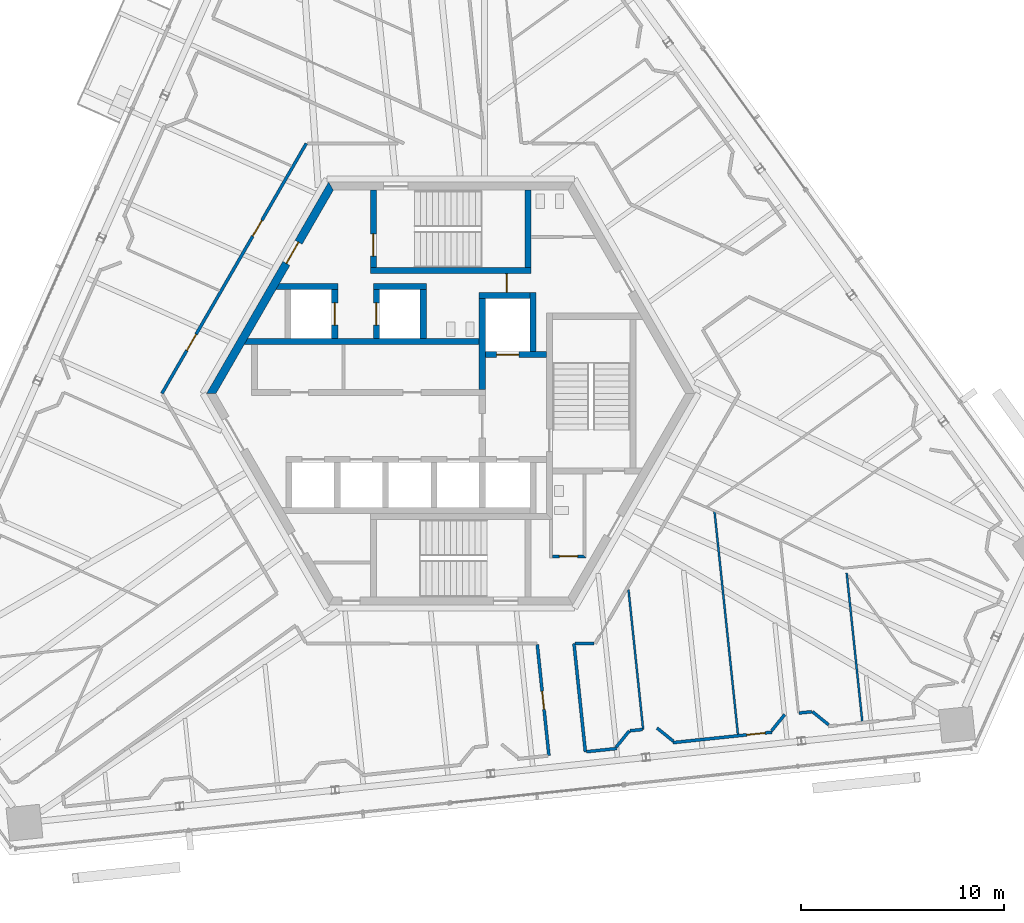
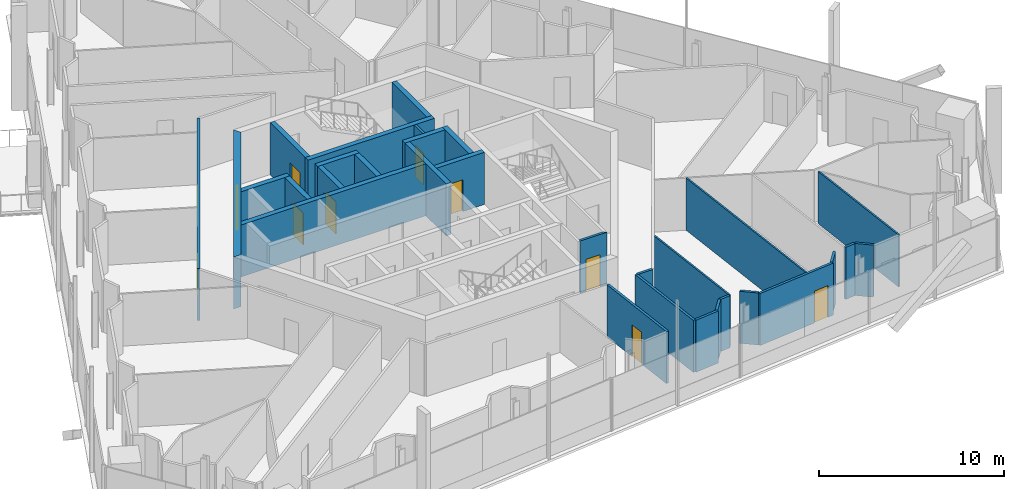
# One storey, part 12 of 21: 31 walls, 11 doors, 11 openings.
"""IFC4 building model written with IfcOpenShell, lengths in metres."""

from ifc_helpers import new_model, si_unit, direction, frame, frame_2d, origin, place, context, subcontext, project, spatial, polyline, rectangle, outline, extrude, source, transform, mapped, material, layer, layer_set, type_object, element, fill, save


model = new_model("IFC4")

# Units and contexts
model_context = context("Model", 3, precision=1e-05, world=origin(), true_north=direction((0.0, 1.0)))
body_context = subcontext(model_context, "Body", "Model", "MODEL_VIEW")
ifc_project = project(units=[si_unit("LENGTHUNIT", "METRE"), si_unit("AREAUNIT", "SQUARE_METRE"), si_unit("VOLUMEUNIT", "CUBIC_METRE"), si_unit("PLANEANGLEUNIT", "RADIAN"), si_unit("MASSUNIT", "GRAM", prefix="KILO")], contexts=[model_context])

# Site, building, storey
site_placement = place(None, origin())
site = spatial("IfcSite", under=ifc_project, at=site_placement, CompositionType="ELEMENT")
building_placement = place(site_placement, origin())
building = spatial("IfcBuilding", under=site, at=building_placement, Name="Triune Harvest Tower", CompositionType="ELEMENT")
storey_placement = place(building_placement, frame((0.0, 0.0, 248.5)))
storey = spatial("IfcBuildingStorey", under=building, at=storey_placement, Name="L65", CompositionType="ELEMENT", Elevation=248.5)

# Wall, opening, door
ifc_material_1 = material(Name="Gypsum board on steel studs", Category="steel")
ifc_layer_1 = layer(ifc_material_1, 0.14990234375)
ifc_layer_set_1 = layer_set([ifc_layer_1], Name="Gypsum board on steel studs")
wall_type_1 = type_object("IfcWallType", Name="Fire Partition 150 mm", PredefinedType="PARTITIONING", material=ifc_layer_set_1)
wall_1_placement = place(storey_placement, frame((4.25341796875, -12.342041015625, 0.0), z_axis=(0.0, 0.0, 1.0), x_axis=(0.104522575679, -0.994522514161, 0.0)))
wall_1 = element("IfcWall", 1, at=wall_1_placement, inside=storey, type_object=wall_type_1, Name="Partition L65 006", PredefinedType="PARTITIONING", context=body_context, shape_type="SweptSolid", body=[
    extrude(rectangle(XDim=5.484375, YDim=0.14990234375, at=frame_2d((2.7421875, 0.0))), origin(), (0.0, 0.0, 1.0), 3.43994140625),
])
opening_1_placement = place(wall_1_placement, frame((2.300048828125, 0.0, 0.0)))
opening_1 = element("IfcOpeningElement", 2, at=opening_1_placement, cuts=wall_1, Name="Opening L65-021", PredefinedType="OPENING", context=body_context, shape_type="SweptSolid", body=[
    extrude(rectangle(XDim=0.89990234375, YDim=2.10009765625, at=frame_2d((0.449951171875, 1.050048828125))), frame((0.0, 0.0849609375, 0.0), z_axis=(0.0, -1.0, 0.0), x_axis=(1.0, 0.0, 0.0)), (0.0, 0.0, 1.0), 0.169921875),
])
ifc_material_2 = material(Name="Timber and steel door set", Category="steel")
door_type_1 = type_object("IfcDoorType", Name="Single leaf door FD30 left hand 900 x 2100", OperationType="SINGLE_SWING_LEFT", PredefinedType="DOOR", material=ifc_material_2)
door_1_placement = place(opening_1_placement, origin())
door_1 = element("IfcDoor", 3, at=door_1_placement, inside=storey, type_object=door_type_1, Name="Door L65-021 Office 65.21", OperationType="SINGLE_SWING_LEFT", OverallHeight=2.10009765625, OverallWidth=0.89990234375, PredefinedType="DOOR", context=body_context, shape_type="SweptSolid", body=[
    extrude(rectangle(XDim=0.89990234375, YDim=2.10009765625, at=frame_2d((0.449951171875, 1.050048828125))), frame((0.0, 0.02490234375, 0.0), z_axis=(0.0, -1.0, 0.0), x_axis=(1.0, 0.0, 0.0)), (0.0, 0.0, 1.0), 0.050048828125),
])
fill(opening_1, door_1)

# Wall
wall_2_placement = place(storey_placement, frame((6.05810546875, -12.292236328125, 0.0), z_axis=(0.0, 0.0, 1.0), x_axis=(0.104499338666, -0.994524956056, 0.0)))
element("IfcWall", 4, at=wall_2_placement, inside=storey, type_object=wall_type_1, Name="Partition L65 008", PredefinedType="PARTITIONING", context=body_context, shape_type="SweptSolid", body=[
    extrude(rectangle(XDim=5.345458984375, YDim=0.14990234375, at=frame_2d((2.6728515625, 0.0))), origin(), (0.0, 0.0, 1.0), 3.43994140625),
])

# Wall, opening, door
wall_3_placement = place(storey_placement, frame((10.922119140625, -17.15576171875, 0.0), z_axis=(0.0, 0.0, 1.0), x_axis=(0.994522909603, 0.104518813021, 0.0)))
wall_3 = element("IfcWall", 5, at=wall_3_placement, inside=storey, type_object=wall_type_1, Name="Partition L65 076", PredefinedType="PARTITIONING", context=body_context, shape_type="SweptSolid", body=[
    extrude(rectangle(XDim=4.900634765625, YDim=0.14990234375, at=frame_2d((2.4501953125, 0.0))), origin(), (0.0, 0.0, 1.0), 3.43994140625),
])
opening_2_placement = place(wall_3_placement, frame((3.65087890625, 0.0, 0.0)))
opening_2 = element("IfcOpeningElement", 6, at=opening_2_placement, cuts=wall_3, Name="Opening L65-024", PredefinedType="OPENING", context=body_context, shape_type="SweptSolid", body=[
    extrude(rectangle(XDim=0.89990234375, YDim=2.10009765625, at=frame_2d((0.449951171875, 1.050048828125))), frame((0.0, 0.0849609375, 0.0), z_axis=(0.0, -1.0, 0.0), x_axis=(1.0, 0.0, 0.0)), (0.0, 0.0, 1.0), 0.169921875),
])
ifc_material_3 = material(Name="Timber and steel door set", Category="steel")
door_type_2 = type_object("IfcDoorType", Name="Single leaf door FD30 right hand 900 x 2100", OperationType="SINGLE_SWING_RIGHT", PredefinedType="DOOR", material=ifc_material_3)
door_2_placement = place(opening_2_placement, origin())
door_2 = element("IfcDoor", 7, at=door_2_placement, inside=storey, type_object=door_type_2, Name="Door L65-024 Office 65.24", OperationType="SINGLE_SWING_RIGHT", OverallHeight=2.10009765625, OverallWidth=0.89990234375, PredefinedType="DOOR", context=body_context, shape_type="SweptSolid", body=[
    extrude(rectangle(XDim=0.89990234375, YDim=2.10009765625, at=frame_2d((0.449951171875, 1.050048828125))), frame((0.0, 0.02490234375, 0.0), z_axis=(0.0, -1.0, 0.0), x_axis=(1.0, 0.0, 0.0)), (0.0, 0.0, 1.0), 0.050048828125),
])
fill(opening_2, door_2)

# Walls
wall_4_placement = place(storey_placement, frame((8.80712890625, -16.575439453125, 0.0), z_axis=(0.0, 0.0, 1.0), x_axis=(0.994526794277, 0.104481842754, 0.0)))
element("IfcWall", 8, at=wall_4_placement, inside=storey, type_object=wall_type_1, Name="Partition L65 081", PredefinedType="PARTITIONING", context=body_context, shape_type="SweptSolid", body=[
    extrude(rectangle(XDim=0.626220703125, YDim=0.14990234375, at=frame_2d((0.31298828125, 0.0))), origin(), (0.0, 0.0, 1.0), 3.43994140625),
])
wall_5_placement = place(storey_placement, frame((17.12060546875, -15.701904296875, 0.0), z_axis=(0.0, 0.0, 1.0), x_axis=(0.994535296113, 0.104400884982, 0.0)))
element("IfcWall", 9, at=wall_5_placement, inside=storey, type_object=wall_type_1, Name="Partition L65 082", PredefinedType="PARTITIONING", context=body_context, shape_type="SweptSolid", body=[
    extrude(rectangle(XDim=0.626708984375, YDim=0.14990234375, at=frame_2d((0.3134765625, 0.0))), origin(), (0.0, 0.0, 1.0), 3.43994140625),
])
ifc_material_4 = material(Name="Gypsum board on steel studs", Category="steel")
ifc_layer_2 = layer(ifc_material_4, 0.10009765625)
ifc_layer_set_2 = layer_set([ifc_layer_2], Name="Gypsum board on steel studs")
wall_type_2 = type_object("IfcWallType", Name="Partition 100 mm", PredefinedType="PARTITIONING", material=ifc_layer_set_2)
wall_6_placement = place(storey_placement, frame((8.7353515625, -9.642578125, 0.0), z_axis=(0.0, 0.0, 1.0), x_axis=(0.104520914227, -0.994522688775, 0.0)))
element("IfcWall", 10, at=wall_6_placement, inside=storey, type_object=wall_type_2, Name="Partition L65 009", PredefinedType="PARTITIONING", context=body_context, shape_type="SweptSolid", body=[
    extrude(rectangle(XDim=6.90234375, YDim=0.10009765625, at=frame_2d((3.451171875, 0.0))), origin(), (0.0, 0.0, 1.0), 3.43994140625),
])
wall_7_placement = place(storey_placement, frame((12.961181640625, -5.770751953125, 0.0), z_axis=(0.0, 0.0, 1.0), x_axis=(0.104539501428, -0.994520735149, 0.0)))
element("IfcWall", 11, at=wall_7_placement, inside=storey, type_object=wall_type_2, Name="Partition L65 010", PredefinedType="PARTITIONING", context=body_context, shape_type="SweptSolid", body=[
    extrude(rectangle(XDim=11.109375, YDim=0.10009765625, at=frame_2d((5.5546875, 0.0))), origin(), (0.0, 0.0, 1.0), 3.43994140625),
])
wall_8_placement = place(storey_placement, frame((19.459228515625, -8.8212890625, 0.0), z_axis=(0.0, 0.0, 1.0), x_axis=(0.104535299273, -0.994521176851, 0.0)))
element("IfcWall", 12, at=wall_8_placement, inside=storey, type_object=wall_type_2, Name="Partition L65 012", PredefinedType="PARTITIONING", context=body_context, shape_type="SweptSolid", body=[
    extrude(rectangle(XDim=7.396484375, YDim=0.10009765625, at=frame_2d((3.6982421875, 0.0))), origin(), (0.0, 0.0, 1.0), 3.43994140625),
])

# Wall, opening, door
ifc_material_5 = material(Name="Concrete 70 MPa", Category="concrete")
ifc_layer_3 = layer(ifc_material_5, 0.39990234375)
ifc_layer_set_3 = layer_set([ifc_layer_3], Name="Concrete 70 MPa")
wall_type_3 = type_object("IfcWallType", Name="Core wall 400", PredefinedType="SHEAR", material=ifc_layer_set_3)
shared_shape_1 = source(origin(), body_context, "Body", "SweptSolid", [
    extrude(outline(polyline([(-0.115478515625, -0.199951171875), (11.884521484375, -0.199951171875), (11.653564453125, 0.199951171875), (0.115478515625, 0.199951171875), (-0.115478515625, -0.199951171875)])), origin(), (0.0, 0.0, 1.0), 3.43994140625),
])
wall_9_placement = place(storey_placement, frame((-5.884521484375, 10.1923828125, 0.0), z_axis=(0.0, 0.0, 1.0), x_axis=(-0.499996592174, -0.866027371285, 0.0)))
wall_9 = element("IfcWall", 13, at=wall_9_placement, inside=storey, type_object=wall_type_3, Name="Hexagon 2 wall", PredefinedType="SHEAR", context=body_context, shape_type="MappedRepresentation", body=[
    mapped(shared_shape_1, transform((0.0, 0.0, 0.0), scale=1.0)),
])
opening_3_placement = place(wall_9_placement, frame((3.1845703125, 0.0, 0.0)))
opening_3 = element("IfcOpeningElement", 14, at=opening_3_placement, cuts=wall_9, Name="Opening CD-SVP", PredefinedType="OPENING", context=body_context, shape_type="SweptSolid", body=[
    extrude(rectangle(XDim=1.199951171875, YDim=2.10009765625, at=frame_2d((0.60009765625, 1.050048828125))), frame((0.0, 0.2099609375, 0.0), z_axis=(0.0, -1.0, 0.0), x_axis=(1.0, 0.0, 0.0)), (0.0, 0.0, 1.0), 0.419921875),
])
ifc_material_6 = material(Name="Steel S235", Category="steel")
door_type_3 = type_object("IfcDoorType", Name="Service door 1200 FD120", OperationType="SINGLE_SWING_LEFT", PredefinedType="DOOR", material=ifc_material_6)
door_3_placement = place(opening_3_placement, frame((1.199951171875, 0.0, 0.0), z_axis=(0.0, 0.0, 1.0), x_axis=(-1.0, 0.0, 0.0)))
door_3 = element("IfcDoor", 15, at=door_3_placement, inside=storey, type_object=door_type_3, Name="Door CD-SVP", OperationType="SINGLE_SWING_RIGHT", OverallHeight=2.10009765625, OverallWidth=1.199951171875, PredefinedType="DOOR", context=body_context, shape_type="SweptSolid", body=[
    extrude(rectangle(XDim=1.199951171875, YDim=2.10009765625, at=frame_2d((0.60009765625, 1.050048828125))), frame((0.0, 0.02490234375, 0.0), z_axis=(0.0, -1.0, 0.0), x_axis=(1.0, 0.0, 0.0)), (0.0, 0.0, 1.0), 0.050048828125),
])
fill(opening_3, door_3)

# Walls
ifc_material_7 = material(Name="Concrete 70 MPa", Category="concrete")
ifc_layer_4 = layer(ifc_material_7, 0.300048828125)
ifc_layer_set_4 = layer_set([ifc_layer_4], Name="Concrete 70 MPa")
wall_type_4 = type_object("IfcWallType", Name="Core wall 300", PredefinedType="SHEAR", material=ifc_layer_set_4)
shared_shape_2 = source(origin(), body_context, "Body", "SweptSolid", [
    extrude(outline(polyline([(11.199951171875, -0.14990234375), (-0.34912109375, -0.14990234375), (-0.17578125, 0.14990234375), (11.199951171875, 0.14990234375), (11.199951171875, -0.14990234375)])), origin(), (0.0, 0.0, 1.0), 3.43994140625),
])
wall_10_placement = place(storey_placement, frame((-9.800048828125, 2.56005859375, 0.0), z_axis=(0.0, 0.0, 1.0), x_axis=(1.0, 0.0, 0.0)))
element("IfcWall", 16, at=wall_10_placement, inside=storey, type_object=wall_type_4, Name="North back wall", PredefinedType="SHEAR", context=body_context, shape_type="MappedRepresentation", body=[
    mapped(shared_shape_2, transform((0.0, 0.0, 0.0), scale=1.0)),
])
shared_shape_3 = source(origin(), body_context, "Body", "SweptSolid", [
    extrude(rectangle(XDim=2.5, YDim=0.300048828125, at=frame_2d((1.25, 0.0))), origin(), (0.0, 0.0, 1.0), 3.43994140625),
])
wall_11_placement = place(storey_placement, frame((1.39990234375, 4.81005859375, 0.0), z_axis=(0.0, 0.0, 1.0), x_axis=(1.0, 0.0, 0.0)))
element("IfcWall", 17, at=wall_11_placement, inside=storey, type_object=wall_type_4, Name="Ff1 back wall", PredefinedType="SHEAR", context=body_context, shape_type="MappedRepresentation", body=[
    mapped(shared_shape_3, transform((0.0, 0.0, 0.0), scale=1.0)),
])
shared_shape_4 = source(origin(), body_context, "Body", "SweptSolid", [
    extrude(rectangle(XDim=4.449951171875, YDim=0.300048828125, at=frame_2d((2.22509765625, 0.0))), origin(), (0.0, 0.0, 1.0), 3.43994140625),
])
wall_12_placement = place(storey_placement, frame((1.550048828125, 0.2099609375, 0.0), z_axis=(0.0, 0.0, 1.0), x_axis=(0.0, 1.0, 0.0)))
element("IfcWall", 18, at=wall_12_placement, inside=storey, type_object=wall_type_4, Name="Ff1 west wall", PredefinedType="SHEAR", context=body_context, shape_type="MappedRepresentation", body=[
    mapped(shared_shape_4, transform((0.0, 0.0, 0.0), scale=1.0)),
])

# Wall, opening, door
shared_shape_5 = source(origin(), body_context, "Body", "SweptSolid", [
    extrude(rectangle(XDim=3.0, YDim=0.300048828125, at=frame_2d((1.5, 0.0))), origin(), (0.0, 0.0, 1.0), 3.43994140625),
])
wall_13_placement = place(storey_placement, frame((1.699951171875, 1.909912109375, 0.0), z_axis=(0.0, 0.0, 1.0), x_axis=(1.0, 0.0, 0.0)))
wall_13 = element("IfcWall", 19, at=wall_13_placement, inside=storey, type_object=wall_type_4, Name="Ff1 front wall", PredefinedType="SHEAR", context=body_context, shape_type="MappedRepresentation", body=[
    mapped(shared_shape_5, transform((0.0, 0.0, 0.0), scale=1.0)),
])
opening_4_placement = place(wall_13_placement, frame((0.550048828125, 0.0, 0.0)))
opening_4 = element("IfcOpeningElement", 20, at=opening_4_placement, cuts=wall_13, Name="Opening LD-FF1-65", PredefinedType="OPENING", context=body_context, shape_type="SweptSolid", body=[
    extrude(rectangle(XDim=1.10009765625, YDim=2.10009765625, at=frame_2d((0.550048828125, 1.050048828125))), frame((0.0, 0.16015625, 0.0), z_axis=(0.0, -1.0, 0.0), x_axis=(1.0, 0.0, 0.0)), (0.0, 0.0, 1.0), 0.320068359375),
])
ifc_material_8 = material(Name="Stainless steel AISI 304", Category="steel")
door_type_4 = type_object("IfcDoorType", Name="Landing door 1100 x 2100", OperationType="DOUBLE_DOOR_SLIDING", PredefinedType="DOOR", material=ifc_material_8)
door_4_placement = place(opening_4_placement, origin())
door_4 = element("IfcDoor", 21, at=door_4_placement, inside=storey, type_object=door_type_4, Name="Door LD-FF1-65", OperationType="DOUBLE_DOOR_SLIDING", OverallHeight=2.10009765625, OverallWidth=1.10009765625, PredefinedType="DOOR", context=body_context, shape_type="SweptSolid", body=[
    extrude(rectangle(XDim=1.10009765625, YDim=2.10009765625, at=frame_2d((0.550048828125, 1.050048828125))), frame((0.0, 0.02490234375, 0.0), z_axis=(0.0, -1.0, 0.0), x_axis=(1.0, 0.0, 0.0)), (0.0, 0.0, 1.0), 0.050048828125),
])
fill(opening_4, door_4)

# Walls
shared_shape_6 = source(origin(), body_context, "Body", "SweptSolid", [
    extrude(rectangle(XDim=2.89990234375, YDim=0.300048828125, at=frame_2d((1.449951171875, 0.0))), origin(), (0.0, 0.0, 1.0), 3.43994140625),
])
wall_14_placement = place(storey_placement, frame((4.050048828125, 2.06005859375, 0.0), z_axis=(0.0, 0.0, 1.0), x_axis=(0.0, 1.0, 0.0)))
element("IfcWall", 22, at=wall_14_placement, inside=storey, type_object=wall_type_4, Name="Ff1 east wall", PredefinedType="SHEAR", context=body_context, shape_type="MappedRepresentation", body=[
    mapped(shared_shape_6, transform((0.0, 0.0, 0.0), scale=1.0)),
])
shared_shape_7 = source(origin(), body_context, "Body", "SweptSolid", [
    extrude(rectangle(XDim=7.89990234375, YDim=0.300048828125, at=frame_2d((3.949951171875, 0.0))), origin(), (0.0, 0.0, 1.0), 3.43994140625),
])
wall_15_placement = place(storey_placement, frame((-3.949951171875, 6.0400390625, 0.0), z_axis=(0.0, 0.0, 1.0), x_axis=(1.0, 0.0, 0.0)))
element("IfcWall", 23, at=wall_15_placement, inside=storey, type_object=wall_type_4, Name="Stair n south wall", PredefinedType="SHEAR", context=body_context, shape_type="MappedRepresentation", body=[
    mapped(shared_shape_7, transform((0.0, 0.0, 0.0), scale=1.0)),
])

# Wall, opening, door
shared_shape_8 = source(origin(), body_context, "Body", "SweptSolid", [
    extrude(outline(polyline([(0.0, -0.14990234375), (0.0, 0.14990234375), (3.80419921875, 0.14990234375), (3.80419921875, -0.14990234375), (0.0, -0.14990234375)])), origin(), (0.0, 0.0, 1.0), 3.43994140625),
])
wall_16_placement = place(storey_placement, frame((-3.800048828125, 6.18994140625, 0.0), z_axis=(0.0, 0.0, 1.0), x_axis=(0.0, 1.0, 0.0)))
wall_16 = element("IfcWall", 24, at=wall_16_placement, inside=storey, type_object=wall_type_4, Name="Stair n west wall", PredefinedType="SHEAR", context=body_context, shape_type="MappedRepresentation", body=[
    mapped(shared_shape_8, transform((0.0, 0.0, 0.0), scale=1.0)),
])
opening_5_placement = place(wall_16_placement, frame((0.56005859375, 0.0, 0.0)))
opening_5 = element("IfcOpeningElement", 25, at=opening_5_placement, cuts=wall_16, Name="Opening CD-S1L", PredefinedType="OPENING", context=body_context, shape_type="SweptSolid", body=[
    extrude(rectangle(XDim=1.10009765625, YDim=2.10009765625, at=frame_2d((0.550048828125, 1.050048828125))), frame((0.0, 0.16015625, 0.0), z_axis=(0.0, -1.0, 0.0), x_axis=(1.0, 0.0, 0.0)), (0.0, 0.0, 1.0), 0.320068359375),
])
ifc_material_9 = material(Name="Steel S235", Category="steel")
door_type_5 = type_object("IfcDoorType", Name="Stair door 1100 FD120", OperationType="SINGLE_SWING_LEFT", PredefinedType="DOOR", material=ifc_material_9)
door_5_placement = place(opening_5_placement, frame((1.10009765625, 0.0, 0.0), z_axis=(0.0, 0.0, 1.0), x_axis=(-1.0, 0.0, 0.0)))
door_5 = element("IfcDoor", 26, at=door_5_placement, inside=storey, type_object=door_type_5, Name="Door CD-S1L", OperationType="SINGLE_SWING_RIGHT", OverallHeight=2.10009765625, OverallWidth=1.10009765625, PredefinedType="DOOR", context=body_context, shape_type="SweptSolid", body=[
    extrude(rectangle(XDim=1.10009765625, YDim=2.10009765625, at=frame_2d((0.550048828125, 1.050048828125))), frame((0.0, 0.02490234375, 0.0), z_axis=(0.0, -1.0, 0.0), x_axis=(1.0, 0.0, 0.0)), (0.0, 0.0, 1.0), 0.050048828125),
])
fill(opening_5, door_5)

# Walls
wall_17_placement = place(storey_placement, frame((3.800048828125, 6.18994140625, 0.0), z_axis=(0.0, 0.0, 1.0), x_axis=(0.0, 1.0, 0.0)))
element("IfcWall", 27, at=wall_17_placement, inside=storey, type_object=wall_type_4, Name="Stair n east wall", PredefinedType="SHEAR", context=body_context, shape_type="MappedRepresentation", body=[
    mapped(shared_shape_8, transform((0.0, 0.0, 0.0), scale=1.0)),
])
shared_shape_9 = source(origin(), body_context, "Body", "SweptSolid", [
    extrude(outline(polyline([(2.60009765625, -0.14990234375), (-0.440185546875, -0.14990234375), (-0.26708984375, 0.14990234375), (2.60009765625, 0.14990234375), (2.60009765625, -0.14990234375)])), origin(), (0.0, 0.0, 1.0), 3.43994140625),
])
wall_18_placement = place(storey_placement, frame((-8.14990234375, 5.260009765625, 0.0), z_axis=(0.0, 0.0, 1.0), x_axis=(1.0, 0.0, 0.0)))
element("IfcWall", 28, at=wall_18_placement, inside=storey, type_object=wall_type_4, Name="Sv1 north wall", PredefinedType="SHEAR", context=body_context, shape_type="MappedRepresentation", body=[
    mapped(shared_shape_9, transform((0.0, 0.0, 0.0), scale=1.0)),
])

# Wall, opening, door
shared_shape_10 = source(origin(), body_context, "Body", "SweptSolid", [
    extrude(rectangle(XDim=2.400146484375, YDim=0.300048828125, at=frame_2d((1.2001953125, 0.0))), origin(), (0.0, 0.0, 1.0), 3.43994140625),
])
wall_19_placement = place(storey_placement, frame((-5.699951171875, 2.7099609375, 0.0), z_axis=(0.0, 0.0, 1.0), x_axis=(0.0, 1.0, 0.0)))
wall_19 = element("IfcWall", 29, at=wall_19_placement, inside=storey, type_object=wall_type_4, Name="Sv1 east wall", PredefinedType="SHEAR", context=body_context, shape_type="MappedRepresentation", body=[
    mapped(shared_shape_10, transform((0.0, 0.0, 0.0), scale=1.0)),
])
opening_6_placement = place(wall_19_placement, frame((0.64990234375, 0.0, 0.0)))
opening_6 = element("IfcOpeningElement", 30, at=opening_6_placement, cuts=wall_19, Name="Opening LD-SV1-65", PredefinedType="OPENING", context=body_context, shape_type="SweptSolid", body=[
    extrude(rectangle(XDim=1.10009765625, YDim=2.10009765625, at=frame_2d((0.550048828125, 1.050048828125))), frame((0.0, 0.16015625, 0.0), z_axis=(0.0, -1.0, 0.0), x_axis=(1.0, 0.0, 0.0)), (0.0, 0.0, 1.0), 0.320068359375),
])
door_6_placement = place(opening_6_placement, origin())
door_6 = element("IfcDoor", 31, at=door_6_placement, inside=storey, type_object=door_type_4, Name="Door LD-SV1-65", OperationType="DOUBLE_DOOR_SLIDING", OverallHeight=2.10009765625, OverallWidth=1.10009765625, PredefinedType="DOOR", context=body_context, shape_type="SweptSolid", body=[
    extrude(rectangle(XDim=1.10009765625, YDim=2.10009765625, at=frame_2d((0.550048828125, 1.050048828125))), frame((0.0, 0.02490234375, 0.0), z_axis=(0.0, -1.0, 0.0), x_axis=(1.0, 0.0, 0.0)), (0.0, 0.0, 1.0), 0.050048828125),
])
fill(opening_6, door_6)

wall_20_placement = place(storey_placement, frame((-3.64990234375, 2.7099609375, 0.0), z_axis=(0.0, 0.0, 1.0), x_axis=(0.0, 1.0, 0.0)))
wall_20 = element("IfcWall", 32, at=wall_20_placement, inside=storey, type_object=wall_type_4, Name="Sv2 west wall", PredefinedType="SHEAR", context=body_context, shape_type="MappedRepresentation", body=[
    mapped(shared_shape_10, transform((0.0, 0.0, 0.0), scale=1.0)),
])
opening_7_placement = place(wall_20_placement, frame((0.64990234375, 0.0, 0.0)))
opening_7 = element("IfcOpeningElement", 33, at=opening_7_placement, cuts=wall_20, Name="Opening LD-SV2-65", PredefinedType="OPENING", context=body_context, shape_type="SweptSolid", body=[
    extrude(rectangle(XDim=1.10009765625, YDim=2.10009765625, at=frame_2d((0.550048828125, 1.050048828125))), frame((0.0, 0.16015625, 0.0), z_axis=(0.0, -1.0, 0.0), x_axis=(1.0, 0.0, 0.0)), (0.0, 0.0, 1.0), 0.320068359375),
])
door_7_placement = place(opening_7_placement, origin())
door_7 = element("IfcDoor", 34, at=door_7_placement, inside=storey, type_object=door_type_4, Name="Door LD-SV2-65", OperationType="DOUBLE_DOOR_SLIDING", OverallHeight=2.10009765625, OverallWidth=1.10009765625, PredefinedType="DOOR", context=body_context, shape_type="SweptSolid", body=[
    extrude(rectangle(XDim=1.10009765625, YDim=2.10009765625, at=frame_2d((0.550048828125, 1.050048828125))), frame((0.0, 0.02490234375, 0.0), z_axis=(0.0, -1.0, 0.0), x_axis=(1.0, 0.0, 0.0)), (0.0, 0.0, 1.0), 0.050048828125),
])
fill(opening_7, door_7)

# Walls
wall_21_placement = place(storey_placement, frame((-1.35009765625, 2.7099609375, 0.0), z_axis=(0.0, 0.0, 1.0), x_axis=(0.0, 1.0, 0.0)))
element("IfcWall", 35, at=wall_21_placement, inside=storey, type_object=wall_type_4, Name="Sv2 east wall", PredefinedType="SHEAR", context=body_context, shape_type="MappedRepresentation", body=[
    mapped(shared_shape_10, transform((0.0, 0.0, 0.0), scale=1.0)),
])
shared_shape_11 = source(origin(), body_context, "Body", "SweptSolid", [
    extrude(rectangle(XDim=2.60009765625, YDim=0.300048828125, at=frame_2d((1.300048828125, 0.0))), origin(), (0.0, 0.0, 1.0), 3.43994140625),
])
wall_22_placement = place(storey_placement, frame((-3.800048828125, 5.260009765625, 0.0), z_axis=(0.0, 0.0, 1.0), x_axis=(1.0, 0.0, 0.0)))
element("IfcWall", 36, at=wall_22_placement, inside=storey, type_object=wall_type_4, Name="Sv2 north wall", PredefinedType="SHEAR", context=body_context, shape_type="MappedRepresentation", body=[
    mapped(shared_shape_11, transform((0.0, 0.0, 0.0), scale=1.0)),
])

# Wall, opening, door
ifc_material_10 = material(Name="Concrete masonry unit", Category="masonry")
ifc_layer_5 = layer(ifc_material_10, 0.14990234375)
ifc_layer_set_5 = layer_set([ifc_layer_5], Name="Concrete masonry unit")
wall_type_5 = type_object("IfcWallType", Name="Block partition 150 unrated", PredefinedType="PARTITIONING", material=ifc_layer_set_5)
shared_shape_12 = source(origin(), body_context, "Body", "SweptSolid", [
    extrude(outline(polyline([(0.0, -0.074951171875), (1.64990234375, -0.074951171875), (1.5, 0.074951171875), (0.0, 0.074951171875), (0.0, -0.074951171875)])), origin(), (0.0, 0.0, 1.0), 3.43994140625),
])
wall_23_placement = place(storey_placement, frame((5.0, -8.0, 0.0), z_axis=(0.0, 0.0, 1.0), x_axis=(1.0, 0.0, 0.0)))
wall_23 = element("IfcWall", 37, at=wall_23_placement, inside=storey, type_object=wall_type_5, Name="Wc acc south wall", PredefinedType="PARTITIONING", context=body_context, shape_type="MappedRepresentation", body=[
    mapped(shared_shape_12, transform((0.0, 0.0, 0.0), scale=1.0)),
])
opening_8_placement = place(wall_23_placement, frame((0.33740234375, 0.0, 0.0)))
opening_8 = element("IfcOpeningElement", 38, at=opening_8_placement, cuts=wall_23, Name="Opening CD-WA", PredefinedType="OPENING", context=body_context, shape_type="SweptSolid", body=[
    extrude(rectangle(XDim=0.89990234375, YDim=2.10009765625, at=frame_2d((0.449951171875, 1.050048828125))), frame((0.0, 0.0849609375, 0.0), z_axis=(0.0, -1.0, 0.0), x_axis=(1.0, 0.0, 0.0)), (0.0, 0.0, 1.0), 0.169921875),
])
ifc_material_11 = material(Name="Timber C24", Category="wood")
door_type_6 = type_object("IfcDoorType", Name="WC door 900", OperationType="SINGLE_SWING_LEFT", PredefinedType="DOOR", material=ifc_material_11)
door_8_placement = place(opening_8_placement, origin())
door_8 = element("IfcDoor", 39, at=door_8_placement, inside=storey, type_object=door_type_6, Name="Door CD-WA", OperationType="SINGLE_SWING_LEFT", OverallHeight=2.10009765625, OverallWidth=0.89990234375, PredefinedType="DOOR", context=body_context, shape_type="SweptSolid", body=[
    extrude(rectangle(XDim=0.89990234375, YDim=2.10009765625, at=frame_2d((0.449951171875, 1.050048828125))), frame((0.0, 0.02490234375, 0.0), z_axis=(0.0, -1.0, 0.0), x_axis=(1.0, 0.0, 0.0)), (0.0, 0.0, 1.0), 0.050048828125),
])
fill(opening_8, door_8)

shared_shape_13 = source(origin(), body_context, "Body", "SweptSolid", [
    extrude(rectangle(XDim=0.929931640625, YDim=0.14990234375, at=frame_2d((0.46484375, 0.0))), origin(), (0.0, 0.0, 1.0), 3.43994140625),
])
wall_24_placement = place(storey_placement, frame((2.75, 4.9599609375, 0.0), z_axis=(0.0, 0.0, 1.0), x_axis=(0.0, 1.0, 0.0)))
wall_24 = element("IfcWall", 40, at=wall_24_placement, inside=storey, type_object=wall_type_5, Name="Wc men east b wall", PredefinedType="PARTITIONING", context=body_context, shape_type="MappedRepresentation", body=[
    mapped(shared_shape_13, transform((0.0, 0.0, 0.0), scale=1.0)),
])
opening_9_placement = place(wall_24_placement, frame((0.014892578125, 0.0, 0.0)))
opening_9 = element("IfcOpeningElement", 41, at=opening_9_placement, cuts=wall_24, Name="Opening CD-WM", PredefinedType="OPENING", context=body_context, shape_type="SweptSolid", body=[
    extrude(rectangle(XDim=0.89990234375, YDim=2.10009765625, at=frame_2d((0.449951171875, 1.050048828125))), frame((0.0, 0.0849609375, 0.0), z_axis=(0.0, -1.0, 0.0), x_axis=(1.0, 0.0, 0.0)), (0.0, 0.0, 1.0), 0.169921875),
])
door_9_placement = place(opening_9_placement, origin())
door_9 = element("IfcDoor", 42, at=door_9_placement, inside=storey, type_object=door_type_6, Name="Door CD-WM", OperationType="SINGLE_SWING_LEFT", OverallHeight=2.10009765625, OverallWidth=0.89990234375, PredefinedType="DOOR", context=body_context, shape_type="SweptSolid", body=[
    extrude(rectangle(XDim=0.89990234375, YDim=2.10009765625, at=frame_2d((0.449951171875, 1.050048828125))), frame((0.0, 0.02490234375, 0.0), z_axis=(0.0, -1.0, 0.0), x_axis=(1.0, 0.0, 0.0)), (0.0, 0.0, 1.0), 0.050048828125),
])
fill(opening_9, door_9)

# Wall, openings, doors
shared_shape_14 = source(origin(), body_context, "Body", "SweptSolid", [
    extrude(rectangle(XDim=14.19384765625, YDim=0.14990234375, at=frame_2d((7.096923828125, 0.0))), origin(), (0.0, 0.0, 1.0), 3.43994140625),
])
wall_25_placement = place(storey_placement, frame((-14.19384765625, 0.0, 0.0), z_axis=(0.0, 0.0, 1.0), x_axis=(0.499999887723, 0.866025468608, 0.0)))
wall_25 = element("IfcWall", 43, at=wall_25_placement, inside=storey, type_object=wall_type_1, Name="Partition L65 119", PredefinedType="PARTITIONING", context=body_context, shape_type="MappedRepresentation", body=[
    mapped(shared_shape_14, transform((0.0, 0.0, 0.0), scale=1.0)),
])
opening_10_placement = place(wall_25_placement, frame((8.926513671875, 0.0, 0.0)))
opening_10 = element("IfcOpeningElement", 44, at=opening_10_placement, cuts=wall_25, Name="Opening L65-013", PredefinedType="OPENING", context=body_context, shape_type="SweptSolid", body=[
    extrude(rectangle(XDim=0.89990234375, YDim=2.10009765625, at=frame_2d((0.449951171875, 1.050048828125))), frame((0.0, 0.0849609375, 0.0), z_axis=(0.0, -1.0, 0.0), x_axis=(1.0, 0.0, 0.0)), (0.0, 0.0, 1.0), 0.169921875),
])
opening_11_placement = place(wall_25_placement, frame((2.455078125, 0.0, 0.0)))
opening_11 = element("IfcOpeningElement", 45, at=opening_11_placement, cuts=wall_25, Name="Opening L65-014", PredefinedType="OPENING", context=body_context, shape_type="SweptSolid", body=[
    extrude(rectangle(XDim=0.89990234375, YDim=2.10009765625, at=frame_2d((0.449951171875, 1.050048828125))), frame((0.0, 0.0849609375, 0.0), z_axis=(0.0, -1.0, 0.0), x_axis=(1.0, 0.0, 0.0)), (0.0, 0.0, 1.0), 0.169921875),
])
door_10_placement = place(opening_11_placement, origin())
door_10 = element("IfcDoor", 46, at=door_10_placement, inside=storey, type_object=door_type_1, Name="Door L65-014 Project Room 65.14", OperationType="SINGLE_SWING_LEFT", OverallHeight=2.10009765625, OverallWidth=0.89990234375, PredefinedType="DOOR", context=body_context, shape_type="SweptSolid", body=[
    extrude(rectangle(XDim=0.89990234375, YDim=2.10009765625, at=frame_2d((0.449951171875, 1.050048828125))), frame((0.0, 0.02490234375, 0.0), z_axis=(0.0, -1.0, 0.0), x_axis=(1.0, 0.0, 0.0)), (0.0, 0.0, 1.0), 0.050048828125),
])
fill(opening_11, door_10)
door_11_placement = place(opening_10_placement, origin())
door_11 = element("IfcDoor", 47, at=door_11_placement, inside=storey, type_object=door_type_2, Name="Door L65-013 Project Room 65.13", OperationType="SINGLE_SWING_RIGHT", OverallHeight=2.10009765625, OverallWidth=0.89990234375, PredefinedType="DOOR", context=body_context, shape_type="SweptSolid", body=[
    extrude(rectangle(XDim=0.89990234375, YDim=2.10009765625, at=frame_2d((0.449951171875, 1.050048828125))), frame((0.0, 0.02490234375, 0.0), z_axis=(0.0, -1.0, 0.0), x_axis=(1.0, 0.0, 0.0)), (0.0, 0.0, 1.0), 0.050048828125),
])
fill(opening_10, door_11)

# Walls
shared_shape_15 = source(origin(), body_context, "Body", "SweptSolid", [
    extrude(rectangle(XDim=0.92919921875, YDim=0.14990234375, at=frame_2d((0.464599609375, 0.0))), origin(), (0.0, 0.0, 1.0), 3.43994140625),
])
wall_26_placement = place(storey_placement, frame((6.117919921875, -12.292236328125, 0.0), z_axis=(0.0, 0.0, 1.0), x_axis=(1.0, 0.0, 0.0)))
element("IfcWall", 48, at=wall_26_placement, inside=storey, type_object=wall_type_1, Name="Partition L65 068", PredefinedType="PARTITIONING", context=body_context, shape_type="MappedRepresentation", body=[
    mapped(shared_shape_15, transform((0.0, 0.0, 0.0), scale=1.0)),
])
shared_shape_16 = source(origin(), body_context, "Body", "SweptSolid", [
    extrude(rectangle(XDim=1.490478515625, YDim=0.14990234375, at=frame_2d((0.7451171875, 0.0))), origin(), (0.0, 0.0, 1.0), 3.43994140625),
])
wall_27_placement = place(storey_placement, frame((6.67626953125, -17.60205078125, 0.0), z_axis=(0.0, 0.0, 1.0), x_axis=(0.994525179628, 0.104497210903, 0.0)))
element("IfcWall", 49, at=wall_27_placement, inside=storey, type_object=wall_type_1, Name="Partition L65 075", PredefinedType="PARTITIONING", context=body_context, shape_type="MappedRepresentation", body=[
    mapped(shared_shape_16, transform((0.0, 0.0, 0.0), scale=1.0)),
])
shared_shape_17 = source(origin(), body_context, "Body", "SweptSolid", [
    extrude(rectangle(XDim=1.029296875, YDim=0.14990234375, at=frame_2d((0.5146484375, 0.0))), origin(), (0.0, 0.0, 1.0), 3.43994140625),
])
for number, where, z_axis, x_axis, name in (
    (50, (17.773681640625, -15.6328125, 0.0), (0.0, 0.0, 1.0), (0.777128847746, -0.629341524136, 0.0), "Partition L65 046"),
    (51, (15.766845703125, -16.575439453125, 0.0), (0.0, 0.0, 1.0), (0.629341524136, 0.777128847746, 0.0), "Partition L65 112"),
):
    element("IfcWall", number, at=place(storey_placement, frame(where, z_axis=z_axis, x_axis=x_axis)), inside=storey, type_object=wall_type_1, Name=name, PredefinedType="PARTITIONING", context=body_context, shape_type="MappedRepresentation", body=[
        mapped(shared_shape_17, transform((0.0, 0.0, 0.0), scale=1.0)),
    ])
shared_shape_18 = source(origin(), body_context, "Body", "SweptSolid", [
    extrude(rectangle(XDim=1.029052734375, YDim=0.14990234375, at=frame_2d((0.5146484375, 0.0))), origin(), (0.0, 0.0, 1.0), 3.43994140625),
])
wall_28_placement = place(storey_placement, frame((10.13623046875, -16.435791015625, 0.0), z_axis=(0.0, 0.0, 1.0), x_axis=(0.777244870707, -0.629198228668, 0.0)))
element("IfcWall", 52, at=wall_28_placement, inside=storey, type_object=wall_type_1, Name="Partition L65 045", PredefinedType="PARTITIONING", context=body_context, shape_type="MappedRepresentation", body=[
    mapped(shared_shape_18, transform((0.0, 0.0, 0.0), scale=1.0)),
])
shared_shape_19 = source(origin(), body_context, "Body", "SweptSolid", [
    extrude(rectangle(XDim=1.02880859375, YDim=0.14990234375, at=frame_2d((0.514404296875, 0.0))), origin(), (0.0, 0.0, 1.0), 3.43994140625),
])
wall_29_placement = place(storey_placement, frame((8.129638671875, -17.378173828125, 0.0), z_axis=(0.0, 0.0, 1.0), x_axis=(0.629314270124, 0.777150918045, 0.0)))
element("IfcWall", 53, at=wall_29_placement, inside=storey, type_object=wall_type_1, Name="Partition L65 113", PredefinedType="PARTITIONING", context=body_context, shape_type="MappedRepresentation", body=[
    mapped(shared_shape_19, transform((0.0, 0.0, 0.0), scale=1.0)),
])

save(model, "model.ifc")
